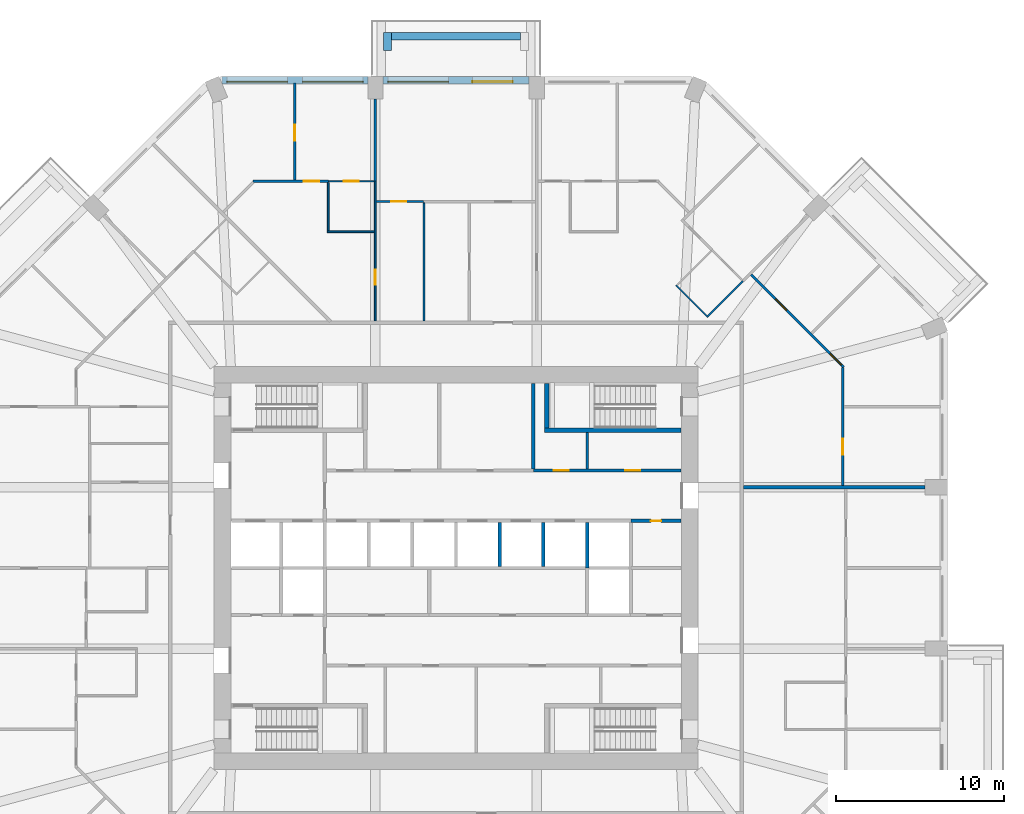
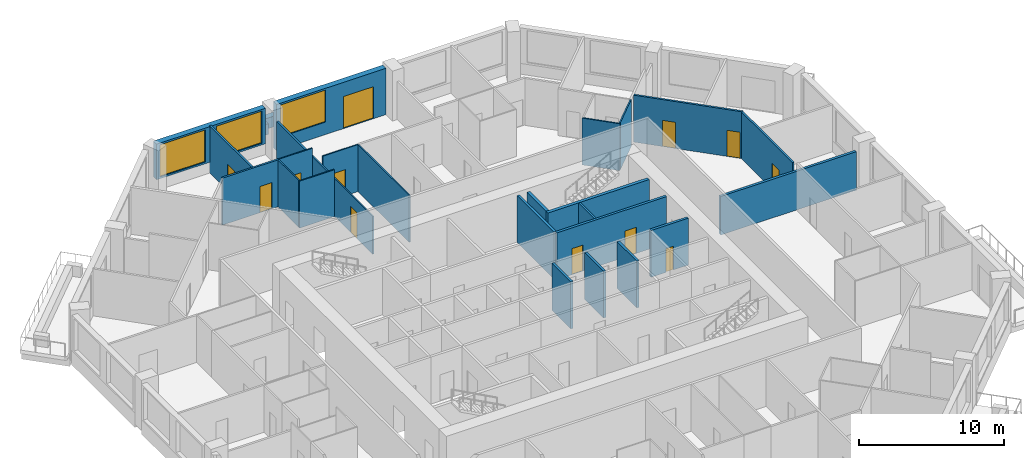
# One storey, part 9 of 13: 27 walls, 12 doors, 3 windows, 15 openings.
"""IFC4 building model written with IfcOpenShell, lengths in metres."""

from ifc_helpers import new_model, si_unit, direction, frame, frame_2d, origin, place, context, subcontext, project, spatial, rectangle, extrude, material, layer, layer_set, type_object, element, fill, save


model = new_model("IFC4")

# Units and contexts
model_context = context("Model", 3, precision=1e-05, world=origin(), true_north=direction((0.0, 1.0)))
body_context = subcontext(model_context, "Body", "Model", "MODEL_VIEW")
ifc_project = project(units=[si_unit("LENGTHUNIT", "METRE"), si_unit("AREAUNIT", "SQUARE_METRE"), si_unit("VOLUMEUNIT", "CUBIC_METRE"), si_unit("PLANEANGLEUNIT", "RADIAN"), si_unit("MASSUNIT", "GRAM", prefix="KILO")], contexts=[model_context])

# Site, building, storey
site_placement = place(None, origin())
site = spatial("IfcSite", under=ifc_project, at=site_placement, CompositionType="ELEMENT")
building_placement = place(site_placement, origin())
building = spatial("IfcBuilding", under=site, at=building_placement, Name="Msitu Wima Residences", CompositionType="ELEMENT")
storey_placement = place(building_placement, frame((0.0, 0.0, 84.300048828125)))
storey = spatial("IfcBuildingStorey", under=building, at=storey_placement, Name="L19", CompositionType="ELEMENT", Elevation=84.300048828125)

# Walls
ifc_material_1 = material(Name="Facing brick")
ifc_layer_1 = layer(ifc_material_1, 0.06494140625, Name="Facing brick")
ifc_material_2 = material(Name="Concrete C40/50", Category="concrete")
ifc_layer_2 = layer(ifc_material_2, 0.156005859375, Name="Concrete C40/50")
ifc_material_3 = material(Name="Waterproofing membrane")
ifc_layer_3 = layer(ifc_material_3, 0.00390625, Name="Waterproofing membrane")
ifc_material_4 = material(Name="Planting soil and planting")
ifc_layer_4 = layer(ifc_material_4, 0.22509765625, Name="Planting soil and planting")
ifc_layer_set_1 = layer_set([ifc_layer_1, ifc_layer_2, ifc_layer_3, ifc_layer_4], Name="Concrete C40/50")
wall_type_1 = type_object("IfcWallType", Name="Balcony planter PLANTER PL450", PredefinedType="USERDEFINED", material=ifc_layer_set_1)
wall_1_placement = place(storey_placement, frame((3.85009765625, 31.625, 0.0), z_axis=(0.0, 0.0, 1.0), x_axis=(-1.0, 0.0, 0.0)))
element("IfcWall", 1, at=wall_1_placement, inside=storey, type_object=wall_type_1, Name="Balcony planter N1 L19", ObjectType="PLANTER", PredefinedType="USERDEFINED", context=body_context, shape_type="SweptSolid", body=[
    extrude(rectangle(XDim=7.7001953125, YDim=0.449951171875, at=frame_2d((3.85009765625, 0.0))), origin(), (0.0, 0.0, 1.0), 0.89990234375),
])
wall_2_placement = place(storey_placement, frame((-4.074951171875, 30.800048828125, 0.0), z_axis=(0.0, 0.0, 1.0), x_axis=(0.0, 1.0, 0.0)))
element("IfcWall", 2, at=wall_2_placement, inside=storey, type_object=wall_type_1, Name="Balcony planter N1 L19", ObjectType="PLANTER", PredefinedType="USERDEFINED", context=body_context, shape_type="SweptSolid", body=[
    extrude(rectangle(XDim=1.050048828125, YDim=0.449951171875, at=frame_2d((0.52490234375, 0.0))), origin(), (0.0, 0.0, 1.0), 0.89990234375),
])

# Wall, openings, door, window
ifc_material_5 = material(Name="Brick (red buff mix)", Category="masonry")
ifc_layer_5 = layer(ifc_material_5, 0.449951171875)
ifc_layer_set_2 = layer_set([ifc_layer_5], Name="Brick (red buff mix)")
wall_type_2 = type_object("IfcWallType", Name="Brick infill wall BW450", PredefinedType="SOLIDWALL", material=ifc_layer_set_2)
wall_3_placement = place(storey_placement, frame((4.35009765625, 29.02490234375, 0.0), z_axis=(0.0, 0.0, 1.0), x_axis=(-1.0, 0.0, 0.0)))
wall_3 = element("IfcWall", 3, at=wall_3_placement, inside=storey, type_object=wall_type_2, Name="Brick infill wall L19 N1", PredefinedType="SOLIDWALL", context=body_context, shape_type="SweptSolid", body=[
    extrude(rectangle(XDim=8.7001953125, YDim=0.449951171875, at=frame_2d((4.35009765625, 0.0))), origin(), (0.0, 0.0, 1.0), 3.89990234375),
])
opening_1_placement = place(wall_3_placement, frame((0.97509765625, 0.0, 0.0)))
opening_1 = element("IfcOpeningElement", 4, at=opening_1_placement, cuts=wall_3, Name="Opening D18-20.002", PredefinedType="OPENING", context=body_context, shape_type="SweptSolid", body=[
    extrude(rectangle(XDim=2.39990234375, YDim=2.699951171875, at=frame_2d((1.199951171875, 1.35009765625))), frame((0.0, 0.23486328125, 0.0), z_axis=(0.0, -1.0, 0.0), x_axis=(1.0, 0.0, 0.0)), (0.0, 0.0, 1.0), 0.469970703125),
])
opening_2_placement = place(wall_3_placement, frame((4.800048828125, 0.0, 1.050048828125)))
opening_2 = element("IfcOpeningElement", 5, at=opening_2_placement, cuts=wall_3, Name="Opening W18-20.008", PredefinedType="OPENING", context=body_context, shape_type="SweptSolid", body=[
    extrude(rectangle(XDim=3.60009765625, YDim=2.699951171875, at=frame_2d((1.800048828125, 1.35009765625))), frame((0.0, 0.23486328125, 0.0), z_axis=(0.0, -1.0, 0.0), x_axis=(1.0, 0.0, 0.0)), (0.0, 0.0, 1.0), 0.469970703125),
])
ifc_material_6 = material(Name="Anodised aluminium, bronze finish, clear low-emissivity double glazing", Category="aluminium")
door_type_1 = type_object("IfcDoorType", Name="Balcony door D2400x2700", OperationType="SLIDING_TO_LEFT", PredefinedType="DOOR", material=ifc_material_6)
door_1_placement = place(opening_1_placement, origin())
door_1 = element("IfcDoor", 6, at=door_1_placement, inside=storey, type_object=door_type_1, Name="Balcony door L19 N1", OperationType="SINGLE_SWING_LEFT", OverallHeight=2.699951171875, OverallWidth=2.39990234375, PredefinedType="DOOR", context=body_context, shape_type="SweptSolid", body=[
    extrude(rectangle(XDim=2.39990234375, YDim=2.699951171875, at=frame_2d((1.199951171875, 1.35009765625))), frame((0.0, 0.1298828125, 0.0), z_axis=(0.0, -1.0, 0.0), x_axis=(1.0, 0.0, 0.0)), (0.0, 0.0, 1.0), 0.050048828125),
])
fill(opening_1, door_1)
window_type = type_object("IfcWindowType", Name="Window W3600x2700", PartitioningType="DOUBLE_PANEL_VERTICAL", PredefinedType="WINDOW", material=ifc_material_6)
window_1_placement = place(opening_2_placement, origin())
window_1 = element("IfcWindow", 7, at=window_1_placement, inside=storey, type_object=window_type, Name="Window L19 N1.2", OverallHeight=2.699951171875, OverallWidth=3.60009765625, PartitioningType="SINGLE_PANEL", PredefinedType="WINDOW", context=body_context, shape_type="SweptSolid", body=[
    extrude(rectangle(XDim=3.60009765625, YDim=2.699951171875, at=frame_2d((1.800048828125, 1.35009765625))), frame((0.0, 0.135009765625, 0.0), z_axis=(0.0, -1.0, 0.0), x_axis=(1.0, 0.0, 0.0)), (0.0, 0.0, 1.0), 0.06005859375),
])
fill(opening_2, window_1)

# Wall, openings, windows
wall_4_placement = place(storey_placement, frame((-5.25, 29.02490234375, 0.89990234375), z_axis=(0.0, 0.0, 1.0), x_axis=(-1.0, 0.0, 0.0)))
wall_4 = element("IfcWall", 8, at=wall_4_placement, inside=storey, type_object=wall_type_2, Name="Brick infill wall L19 N2", PredefinedType="SOLIDWALL", context=body_context, shape_type="SweptSolid", body=[
    extrude(rectangle(XDim=8.662841796875, YDim=0.449951171875, at=frame_2d((4.33154296875, 0.0))), origin(), (0.0, 0.0, 1.0), 3.0),
])
opening_3_placement = place(wall_4_placement, frame((0.281494140625, 0.0, 0.14990234375)))
opening_3 = element("IfcOpeningElement", 9, at=opening_3_placement, cuts=wall_4, Name="Opening W18-20.009", PredefinedType="OPENING", context=body_context, shape_type="SweptSolid", body=[
    extrude(rectangle(XDim=3.60009765625, YDim=2.699951171875, at=frame_2d((1.800048828125, 1.35009765625))), frame((0.0, 0.23486328125, 0.0), z_axis=(0.0, -1.0, 0.0), x_axis=(1.0, 0.0, 0.0)), (0.0, 0.0, 1.0), 0.469970703125),
])
opening_4_placement = place(wall_4_placement, frame((4.781494140625, 0.0, 0.14990234375)))
opening_4 = element("IfcOpeningElement", 10, at=opening_4_placement, cuts=wall_4, Name="Opening W18-20.010", PredefinedType="OPENING", context=body_context, shape_type="SweptSolid", body=[
    extrude(rectangle(XDim=3.60009765625, YDim=2.699951171875, at=frame_2d((1.800048828125, 1.35009765625))), frame((0.0, 0.23486328125, 0.0), z_axis=(0.0, -1.0, 0.0), x_axis=(1.0, 0.0, 0.0)), (0.0, 0.0, 1.0), 0.469970703125),
])
window_2_placement = place(opening_3_placement, origin())
window_2 = element("IfcWindow", 11, at=window_2_placement, inside=storey, type_object=window_type, Name="Window L19 N2.1", OverallHeight=2.699951171875, OverallWidth=3.60009765625, PartitioningType="SINGLE_PANEL", PredefinedType="WINDOW", context=body_context, shape_type="SweptSolid", body=[
    extrude(rectangle(XDim=3.60009765625, YDim=2.699951171875, at=frame_2d((1.800048828125, 1.35009765625))), frame((0.0, 0.135009765625, 0.0), z_axis=(0.0, -1.0, 0.0), x_axis=(1.0, 0.0, 0.0)), (0.0, 0.0, 1.0), 0.06005859375),
])
fill(opening_3, window_2)
window_3_placement = place(opening_4_placement, origin())
window_3 = element("IfcWindow", 12, at=window_3_placement, inside=storey, type_object=window_type, Name="Window L19 N2.2", OverallHeight=2.699951171875, OverallWidth=3.60009765625, PartitioningType="SINGLE_PANEL", PredefinedType="WINDOW", context=body_context, shape_type="SweptSolid", body=[
    extrude(rectangle(XDim=3.60009765625, YDim=2.699951171875, at=frame_2d((1.800048828125, 1.35009765625))), frame((0.0, 0.135009765625, 0.0), z_axis=(0.0, -1.0, 0.0), x_axis=(1.0, 0.0, 0.0)), (0.0, 0.0, 1.0), 0.06005859375),
])
fill(opening_4, window_3)

# Wall, openings, doors
ifc_material_7 = material(Name="Plaster")
ifc_layer_6 = layer(ifc_material_7, 0.011962890625, Name="Plaster")
ifc_material_8 = material(Name="Concrete blockwork", Category="masonry")
ifc_layer_7 = layer(ifc_material_8, 0.176025390625, Name="Concrete blockwork")
ifc_layer_8 = layer(ifc_material_7, 0.011962890625, Name="Plaster")
ifc_layer_set_3 = layer_set([ifc_layer_6, ifc_layer_7, ifc_layer_8], Name="Concrete blockwork")
wall_type_3 = type_object("IfcWallType", Name="Corridor wall FW200", PredefinedType="PARTITIONING", material=ifc_layer_set_3)
wall_5_placement = place(storey_placement, frame((4.6201171875, 5.800048828125, 0.0), z_axis=(0.0, 0.0, 1.0), x_axis=(1.0, 0.0, 0.0)))
wall_5 = element("IfcWall", 13, at=wall_5_placement, inside=storey, type_object=wall_type_3, Name="Corridor wall", PredefinedType="PARTITIONING", context=body_context, shape_type="SweptSolid", body=[
    extrude(rectangle(XDim=8.75, YDim=0.199951171875, at=frame_2d((4.375, 0.0))), origin(), (0.0, 0.0, 1.0), 3.949951171875),
])
opening_5_placement = place(wall_5_placement, frame((1.199951171875, 0.0, 0.0)))
opening_5 = element("IfcOpeningElement", 14, at=opening_5_placement, cuts=wall_5, Name="Opening D18-20.019", PredefinedType="OPENING", context=body_context, shape_type="SweptSolid", body=[
    extrude(rectangle(XDim=0.89990234375, YDim=2.199951171875, at=frame_2d((0.449951171875, 1.10009765625))), frame((0.0, 0.10986328125, 0.0), z_axis=(0.0, -1.0, 0.0), x_axis=(1.0, 0.0, 0.0)), (0.0, 0.0, 1.0), 0.219970703125),
])
opening_6_placement = place(wall_5_placement, frame((5.449951171875, 0.0, 0.0)))
opening_6 = element("IfcOpeningElement", 15, at=opening_6_placement, cuts=wall_5, Name="Opening D18-20.020", PredefinedType="OPENING", context=body_context, shape_type="SweptSolid", body=[
    extrude(rectangle(XDim=0.89990234375, YDim=2.199951171875, at=frame_2d((0.449951171875, 1.10009765625))), frame((0.0, 0.10986328125, 0.0), z_axis=(0.0, -1.0, 0.0), x_axis=(1.0, 0.0, 0.0)), (0.0, 0.0, 1.0), 0.219970703125),
])
ifc_material_9 = material(Name="Timber flush door", Category="wood")
door_type_2 = type_object("IfcDoorType", Name="Service door D05 900x2200", OperationType="SINGLE_SWING_LEFT", PredefinedType="DOOR", material=ifc_material_9)
door_2_placement = place(opening_5_placement, origin())
door_2 = element("IfcDoor", 16, at=door_2_placement, inside=storey, type_object=door_type_2, Name="Service door", OperationType="SINGLE_SWING_RIGHT", OverallHeight=2.199951171875, OverallWidth=0.89990234375, PredefinedType="DOOR", context=body_context, shape_type="SweptSolid", body=[
    extrude(rectangle(XDim=0.89990234375, YDim=2.199951171875, at=frame_2d((0.449951171875, 1.10009765625))), frame((0.0, 0.02490234375, 0.0), z_axis=(0.0, -1.0, 0.0), x_axis=(1.0, 0.0, 0.0)), (0.0, 0.0, 1.0), 0.050048828125),
])
fill(opening_5, door_2)
door_3_placement = place(opening_6_placement, origin())
door_3 = element("IfcDoor", 17, at=door_3_placement, inside=storey, type_object=door_type_2, Name="Service door", OperationType="SINGLE_SWING_LEFT", OverallHeight=2.199951171875, OverallWidth=0.89990234375, PredefinedType="DOOR", context=body_context, shape_type="SweptSolid", body=[
    extrude(rectangle(XDim=0.89990234375, YDim=2.199951171875, at=frame_2d((0.449951171875, 1.10009765625))), frame((0.0, 0.02490234375, 0.0), z_axis=(0.0, -1.0, 0.0), x_axis=(1.0, 0.0, 0.0)), (0.0, 0.0, 1.0), 0.050048828125),
])
fill(opening_6, door_3)

# Wall, opening, door
ifc_layer_9 = layer(ifc_material_7, 0.011962890625, Name="Plaster")
ifc_layer_10 = layer(ifc_material_8, 0.1259765625, Name="Concrete blockwork")
ifc_layer_11 = layer(ifc_material_7, 0.011962890625, Name="Plaster")
ifc_layer_set_4 = layer_set([ifc_layer_9, ifc_layer_10, ifc_layer_11], Name="Concrete blockwork")
wall_type_4 = type_object("IfcWallType", Name="Partition PW150", PredefinedType="PARTITIONING", material=ifc_layer_set_4)
wall_6_placement = place(storey_placement, frame((-12.072509765625, 23.0, 0.0), z_axis=(0.0, 0.0, 1.0), x_axis=(1.0, 0.0, 0.0)))
wall_6 = element("IfcWall", 18, at=wall_6_placement, inside=storey, type_object=wall_type_4, Name="Partition", PredefinedType="PARTITIONING", context=body_context, shape_type="SweptSolid", body=[
    extrude(rectangle(XDim=4.492431640625, YDim=0.14990234375, at=frame_2d((2.24609375, 0.0))), origin(), (0.0, 0.0, 1.0), 3.949951171875),
])
opening_7_placement = place(wall_6_placement, frame((3.0, 0.0, 0.0)))
opening_7 = element("IfcOpeningElement", 19, at=opening_7_placement, cuts=wall_6, Name="Opening D18-20.042", PredefinedType="OPENING", context=body_context, shape_type="SweptSolid", body=[
    extrude(rectangle(XDim=0.949951171875, YDim=2.199951171875, at=frame_2d((0.47509765625, 1.10009765625))), frame((0.0, 0.0849609375, 0.0), z_axis=(0.0, -1.0, 0.0), x_axis=(1.0, 0.0, 0.0)), (0.0, 0.0, 1.0), 0.169921875),
])
door_type_3 = type_object("IfcDoorType", Name="Room door D12 950x2200", OperationType="SINGLE_SWING_LEFT", PredefinedType="DOOR", material=ifc_material_9)
door_4_placement = place(opening_7_placement, origin())
door_4 = element("IfcDoor", 20, at=door_4_placement, inside=storey, type_object=door_type_3, Name="Room door", OperationType="SINGLE_SWING_LEFT", OverallHeight=2.199951171875, OverallWidth=0.949951171875, PredefinedType="DOOR", context=body_context, shape_type="SweptSolid", body=[
    extrude(rectangle(XDim=0.949951171875, YDim=2.199951171875, at=frame_2d((0.47509765625, 1.10009765625))), frame((0.0, 0.02490234375, 0.0), z_axis=(0.0, -1.0, 0.0), x_axis=(1.0, 0.0, 0.0)), (0.0, 0.0, 1.0), 0.050048828125),
])
fill(opening_7, door_4)

wall_7_placement = place(storey_placement, frame((-9.60009765625, 23.074951171875, 0.0), z_axis=(0.0, 0.0, 1.0), x_axis=(0.0, 1.0, 0.0)))
wall_7 = element("IfcWall", 21, at=wall_7_placement, inside=storey, type_object=wall_type_4, Name="Partition", PredefinedType="PARTITIONING", context=body_context, shape_type="SweptSolid", body=[
    extrude(rectangle(XDim=5.780029296875, YDim=0.14990234375, at=frame_2d((2.89013671875, 0.0))), origin(), (0.0, 0.0, 1.0), 3.949951171875),
])
opening_8_placement = place(wall_7_placement, frame((2.35009765625, 0.0, 0.0)))
opening_8 = element("IfcOpeningElement", 22, at=opening_8_placement, cuts=wall_7, Name="Opening D18-20.044", PredefinedType="OPENING", context=body_context, shape_type="SweptSolid", body=[
    extrude(rectangle(XDim=0.949951171875, YDim=2.199951171875, at=frame_2d((0.47509765625, 1.10009765625))), frame((0.0, 0.0849609375, 0.0), z_axis=(0.0, -1.0, 0.0), x_axis=(1.0, 0.0, 0.0)), (0.0, 0.0, 1.0), 0.169921875),
])
door_5_placement = place(opening_8_placement, origin())
door_5 = element("IfcDoor", 23, at=door_5_placement, inside=storey, type_object=door_type_3, Name="Room door", OperationType="SINGLE_SWING_LEFT", OverallHeight=2.199951171875, OverallWidth=0.949951171875, PredefinedType="DOOR", context=body_context, shape_type="SweptSolid", body=[
    extrude(rectangle(XDim=0.949951171875, YDim=2.199951171875, at=frame_2d((0.47509765625, 1.10009765625))), frame((0.0, 0.02490234375, 0.0), z_axis=(0.0, -1.0, 0.0), x_axis=(1.0, 0.0, 0.0)), (0.0, 0.0, 1.0), 0.050048828125),
])
fill(opening_8, door_5)

# Walls
wall_8_placement = place(storey_placement, frame((-4.800048828125, 23.02001953125, 0.0), z_axis=(0.0, 0.0, 1.0), x_axis=(0.0, 1.0, 0.0)))
element("IfcWall", 24, at=wall_8_placement, inside=storey, type_object=wall_type_4, Name="Partition", PredefinedType="PARTITIONING", context=body_context, shape_type="SweptSolid", body=[
    extrude(rectangle(XDim=4.8798828125, YDim=0.14990234375, at=frame_2d((2.43994140625, 0.0))), origin(), (0.0, 0.0, 1.0), 3.199951171875),
])
wall_9_placement = place(storey_placement, frame((7.800048828125, 5.89990234375, 0.0), z_axis=(0.0, 0.0, 1.0), x_axis=(0.0, 1.0, 0.0)))
element("IfcWall", 25, at=wall_9_placement, inside=storey, type_object=wall_type_4, Name="Partition", PredefinedType="PARTITIONING", context=body_context, shape_type="SweptSolid", body=[
    extrude(rectangle(XDim=2.175048828125, YDim=0.14990234375, at=frame_2d((1.08740234375, 0.0))), origin(), (0.0, 0.0, 1.0), 3.949951171875),
])

# Wall, openings, doors
wall_10_placement = place(storey_placement, frame((17.5517578125, 17.44580078125, 0.0), z_axis=(0.0, 0.0, 1.0), x_axis=(0.707106781187, -0.707106781187, 0.0)))
wall_10 = element("IfcWall", 26, at=wall_10_placement, inside=storey, type_object=wall_type_4, Name="Partition", PredefinedType="PARTITIONING", context=body_context, shape_type="SweptSolid", body=[
    extrude(rectangle(XDim=7.77978515625, YDim=0.14990234375, at=frame_2d((3.889892578125, 0.0))), origin(), (0.0, 0.0, 1.0), 3.949951171875),
])
opening_9_placement = place(wall_10_placement, frame((2.050048828125, 0.0, 0.0)))
opening_9 = element("IfcOpeningElement", 27, at=opening_9_placement, cuts=wall_10, Name="Opening D18-20.070", PredefinedType="OPENING", context=body_context, shape_type="SweptSolid", body=[
    extrude(rectangle(XDim=0.949951171875, YDim=2.199951171875, at=frame_2d((0.47509765625, 1.10009765625))), frame((0.0, 0.0849609375, 0.0), z_axis=(0.0, -1.0, 0.0), x_axis=(1.0, 0.0, 0.0)), (0.0, 0.0, 1.0), 0.169921875),
])
opening_10_placement = place(wall_10_placement, frame((6.64990234375, 0.0, 0.0)))
opening_10 = element("IfcOpeningElement", 28, at=opening_10_placement, cuts=wall_10, Name="Opening D18-20.038", PredefinedType="OPENING", context=body_context, shape_type="SweptSolid", body=[
    extrude(rectangle(XDim=0.949951171875, YDim=2.199951171875, at=frame_2d((0.47509765625, 1.10009765625))), frame((0.0, 0.0849609375, 0.0), z_axis=(0.0, -1.0, 0.0), x_axis=(1.0, 0.0, 0.0)), (0.0, 0.0, 1.0), 0.169921875),
])
door_6_placement = place(opening_9_placement, origin())
door_6 = element("IfcDoor", 29, at=door_6_placement, inside=storey, type_object=door_type_3, Name="Room door", OperationType="SINGLE_SWING_RIGHT", OverallHeight=2.199951171875, OverallWidth=0.949951171875, PredefinedType="DOOR", context=body_context, shape_type="SweptSolid", body=[
    extrude(rectangle(XDim=0.949951171875, YDim=2.199951171875, at=frame_2d((0.47509765625, 1.10009765625))), frame((0.0, 0.02490234375, 0.0), z_axis=(0.0, -1.0, 0.0), x_axis=(1.0, 0.0, 0.0)), (0.0, 0.0, 1.0), 0.050048828125),
])
fill(opening_9, door_6)
door_7_placement = place(opening_10_placement, origin())
door_7 = element("IfcDoor", 30, at=door_7_placement, inside=storey, type_object=door_type_3, Name="Room door", OperationType="SINGLE_SWING_LEFT", OverallHeight=2.199951171875, OverallWidth=0.949951171875, PredefinedType="DOOR", context=body_context, shape_type="SweptSolid", body=[
    extrude(rectangle(XDim=0.949951171875, YDim=2.199951171875, at=frame_2d((0.47509765625, 1.10009765625))), frame((0.0, 0.02490234375, 0.0), z_axis=(0.0, -1.0, 0.0), x_axis=(1.0, 0.0, 0.0)), (0.0, 0.0, 1.0), 0.050048828125),
])
fill(opening_10, door_7)

# Wall, opening, door
wall_11_placement = place(storey_placement, frame((23.0, 4.89990234375, 0.0), z_axis=(0.0, 0.0, 1.0), x_axis=(0.0, 1.0, 0.0)))
wall_11 = element("IfcWall", 31, at=wall_11_placement, inside=storey, type_object=wall_type_4, Name="Partition", PredefinedType="PARTITIONING", context=body_context, shape_type="SweptSolid", body=[
    extrude(rectangle(XDim=7.022705078125, YDim=0.14990234375, at=frame_2d((3.51123046875, 0.0))), origin(), (0.0, 0.0, 1.0), 3.949951171875),
])
opening_11_placement = place(wall_11_placement, frame((1.85009765625, 0.0, 0.0)))
opening_11 = element("IfcOpeningElement", 32, at=opening_11_placement, cuts=wall_11, Name="Opening D18-20.059", PredefinedType="OPENING", context=body_context, shape_type="SweptSolid", body=[
    extrude(rectangle(XDim=0.949951171875, YDim=2.199951171875, at=frame_2d((0.47509765625, 1.10009765625))), frame((0.0, 0.0849609375, 0.0), z_axis=(0.0, -1.0, 0.0), x_axis=(1.0, 0.0, 0.0)), (0.0, 0.0, 1.0), 0.169921875),
])
door_8_placement = place(opening_11_placement, origin())
door_8 = element("IfcDoor", 33, at=door_8_placement, inside=storey, type_object=door_type_3, Name="Room door", OperationType="SINGLE_SWING_LEFT", OverallHeight=2.199951171875, OverallWidth=0.949951171875, PredefinedType="DOOR", context=body_context, shape_type="SweptSolid", body=[
    extrude(rectangle(XDim=0.949951171875, YDim=2.199951171875, at=frame_2d((0.47509765625, 1.10009765625))), frame((0.0, 0.02490234375, 0.0), z_axis=(0.0, -1.0, 0.0), x_axis=(1.0, 0.0, 0.0)), (0.0, 0.0, 1.0), 0.050048828125),
])
fill(opening_11, door_8)

# Walls
ifc_layer_12 = layer(ifc_material_7, 0.011962890625, Name="Plaster")
ifc_material_10 = material(Name="Dense concrete blockwork", Category="masonry")
ifc_layer_13 = layer(ifc_material_10, 0.176025390625, Name="Dense concrete blockwork")
ifc_layer_14 = layer(ifc_material_7, 0.011962890625, Name="Plaster")
ifc_layer_set_5 = layer_set([ifc_layer_12, ifc_layer_13, ifc_layer_14], Name="Dense concrete blockwork")
wall_type_5 = type_object("IfcWallType", Name="Party wall PW200", PredefinedType="PARTITIONING", material=ifc_layer_set_5)
wall_12_placement = place(storey_placement, frame((17.10009765625, 4.800048828125, 0.0), z_axis=(0.0, 0.0, 1.0), x_axis=(1.0, 0.0, 0.0)))
element("IfcWall", 34, at=wall_12_placement, inside=storey, type_object=wall_type_5, Name="Party wall", PredefinedType="PARTITIONING", context=body_context, shape_type="SweptSolid", body=[
    extrude(rectangle(XDim=10.7998046875, YDim=0.199951171875, at=frame_2d((5.39990234375, 0.0))), origin(), (0.0, 0.0, 1.0), 3.25),
])
ifc_layer_15 = layer(ifc_material_7, 0.011962890625, Name="Plaster")
ifc_material_11 = material(Name="Reinforced concrete blockwork", Category="masonry")
ifc_layer_16 = layer(ifc_material_11, 0.176025390625, Name="Reinforced concrete blockwork")
ifc_layer_17 = layer(ifc_material_7, 0.011962890625, Name="Plaster")
ifc_layer_set_6 = layer_set([ifc_layer_15, ifc_layer_16, ifc_layer_17], Name="Reinforced concrete blockwork")
wall_type_6 = type_object("IfcWallType", Name="Plant and riser wall PL200", PredefinedType="PARTITIONING", material=ifc_layer_set_6)
wall_13_placement = place(storey_placement, frame((4.60009765625, 5.89990234375, 0.0), z_axis=(0.0, 0.0, 1.0), x_axis=(0.0, 1.0, 0.0)))
element("IfcWall", 35, at=wall_13_placement, inside=storey, type_object=wall_type_6, Name="Plant and riser wall", PredefinedType="PARTITIONING", context=body_context, shape_type="SweptSolid", body=[
    extrude(rectangle(XDim=5.070068359375, YDim=0.199951171875, at=frame_2d((2.53515625, 0.0))), origin(), (0.0, 0.0, 1.0), 3.949951171875),
])

# Wall, opening, door
wall_14_placement = place(storey_placement, frame((10.39990234375, 2.800048828125, 0.0), z_axis=(0.0, 0.0, 1.0), x_axis=(1.0, 0.0, 0.0)))
wall_14 = element("IfcWall", 36, at=wall_14_placement, inside=storey, type_object=wall_type_6, Name="Plant and riser wall", PredefinedType="PARTITIONING", context=body_context, shape_type="SweptSolid", body=[
    extrude(rectangle(XDim=2.97021484375, YDim=0.199951171875, at=frame_2d((1.485107421875, 0.0))), origin(), (0.0, 0.0, 1.0), 3.949951171875),
])
opening_12_placement = place(wall_14_placement, frame((1.199951171875, 0.0, 0.0)))
opening_12 = element("IfcOpeningElement", 37, at=opening_12_placement, cuts=wall_14, Name="Opening D18-20.027", PredefinedType="OPENING", context=body_context, shape_type="SweptSolid", body=[
    extrude(rectangle(XDim=0.60009765625, YDim=2.0, at=frame_2d((0.300048828125, 1.0))), frame((0.0, 0.10986328125, 0.0), z_axis=(0.0, -1.0, 0.0), x_axis=(1.0, 0.0, 0.0)), (0.0, 0.0, 1.0), 0.219970703125),
])
ifc_material_12 = material(Name="Steel access door, fire resisting", Category="steel")
door_type_4 = type_object("IfcDoorType", Name="Riser access door D08 600x2000", OperationType="SINGLE_SWING_LEFT", PredefinedType="DOOR", material=ifc_material_12)
door_9_placement = place(opening_12_placement, origin())
door_9 = element("IfcDoor", 38, at=door_9_placement, inside=storey, type_object=door_type_4, Name="Riser access door", OperationType="SINGLE_SWING_RIGHT", OverallHeight=2.0, OverallWidth=0.60009765625, PredefinedType="DOOR", context=body_context, shape_type="SweptSolid", body=[
    extrude(rectangle(XDim=0.60009765625, YDim=2.0, at=frame_2d((0.300048828125, 1.0))), frame((0.0, 0.02490234375, 0.0), z_axis=(0.0, -1.0, 0.0), x_axis=(1.0, 0.0, 0.0)), (0.0, 0.0, 1.0), 0.050048828125),
])
fill(opening_12, door_9)

# Walls
ifc_material_13 = material(Name="Fire-rated board")
ifc_layer_18 = layer(ifc_material_13, 0.02490234375, Name="Fire-rated board")
ifc_material_14 = material(Name="Light-gauge stud framing with mineral wool")
ifc_layer_19 = layer(ifc_material_14, 0.14990234375, Name="Light-gauge stud framing with mineral wool")
ifc_layer_20 = layer(ifc_material_13, 0.02490234375, Name="Fire-rated board")
ifc_layer_set_7 = layer_set([ifc_layer_18, ifc_layer_19, ifc_layer_20], Name="Light-gauge stud framing with mineral wool")
wall_type_7 = type_object("IfcWallType", Name="Shaft wall SH200", PredefinedType="PARTITIONING", material=ifc_layer_set_7)
for number, where, z_axis, x_axis, name in (
    (39, (2.60009765625, 0.10009765625, 0.0), (0.0, 0.0, 1.0), (0.0, 1.0, 0.0), "Shaft wall"),
    (40, (5.199951171875, 0.10009765625, 0.0), (0.0, 0.0, 1.0), (0.0, 1.0, 0.0), "Shaft wall"),
):
    element("IfcWall", number, at=place(storey_placement, frame(where, z_axis=z_axis, x_axis=x_axis)), inside=storey, type_object=wall_type_7, Name=name, PredefinedType="PARTITIONING", context=body_context, shape_type="SweptSolid", body=[
        extrude(rectangle(XDim=2.599853515625, YDim=0.199951171875, at=frame_2d((1.2998046875, 0.0))), origin(), (0.0, 0.0, 1.0), 3.949951171875),
    ])
wall_15_placement = place(storey_placement, frame((7.800048828125, 0.0, 0.0), z_axis=(0.0, 0.0, 1.0), x_axis=(0.0, 1.0, 0.0)))
element("IfcWall", 41, at=wall_15_placement, inside=storey, type_object=wall_type_7, Name="Shaft wall", PredefinedType="PARTITIONING", context=body_context, shape_type="SweptSolid", body=[
    extrude(rectangle(XDim=2.699951171875, YDim=0.199951171875, at=frame_2d((1.35009765625, 0.0))), origin(), (0.0, 0.0, 1.0), 3.949951171875),
])
ifc_material_15 = material(Name="Concrete C50/60", Category="concrete")
ifc_layer_21 = layer(ifc_material_15, 0.25)
ifc_layer_set_8 = layer_set([ifc_layer_21], Name="Concrete C50/60")
wall_type_8 = type_object("IfcWallType", Name="Stair enclosure wall SW250", PredefinedType="SHEAR", material=ifc_layer_set_8)
wall_16_placement = place(storey_placement, frame((5.39990234375, 8.324951171875, 0.0), z_axis=(0.0, 0.0, 1.0), x_axis=(0.0, 1.0, 0.0)))
element("IfcWall", 42, at=wall_16_placement, inside=storey, type_object=wall_type_8, Name="Stair enclosure wall", PredefinedType="SHEAR", context=body_context, shape_type="SweptSolid", body=[
    extrude(rectangle(XDim=2.64501953125, YDim=0.25, at=frame_2d((1.322509765625, 0.0))), origin(), (0.0, 0.0, 1.0), 3.949951171875),
])
wall_17_placement = place(storey_placement, frame((5.27490234375, 8.199951171875, 0.0), z_axis=(0.0, 0.0, 1.0), x_axis=(1.0, 0.0, 0.0)))
element("IfcWall", 43, at=wall_17_placement, inside=storey, type_object=wall_type_8, Name="Stair enclosure wall", PredefinedType="SHEAR", context=body_context, shape_type="SweptSolid", body=[
    extrude(rectangle(XDim=8.09521484375, YDim=0.25, at=frame_2d((4.047607421875, 0.0))), origin(), (0.0, 0.0, 1.0), 3.949951171875),
])

# Wall, opening, door
ifc_material_16 = material(Name="Ceramic tiles")
ifc_layer_22 = layer(ifc_material_16, 0.008056640625, Name="Ceramic tiles")
ifc_material_17 = material(Name="Moisture-resistant board")
ifc_layer_23 = layer(ifc_material_17, 0.012451171875, Name="Moisture-resistant board")
ifc_layer_24 = layer(ifc_material_14, 0.06689453125, Name="Light-gauge stud framing with mineral wool")
ifc_layer_25 = layer(ifc_material_17, 0.012451171875, Name="Moisture-resistant board")
ifc_layer_set_9 = layer_set([ifc_layer_22, ifc_layer_23, ifc_layer_24, ifc_layer_25], Name="Light-gauge stud framing with mineral wool")
wall_type_9 = type_object("IfcWallType", Name="Wet wall PW100", PredefinedType="PARTITIONING", material=ifc_layer_set_9)
wall_18_placement = place(storey_placement, frame((-7.580078125, 23.0, 0.0), z_axis=(0.0, 0.0, 1.0), x_axis=(1.0, 0.0, 0.0)))
wall_18 = element("IfcWall", 44, at=wall_18_placement, inside=storey, type_object=wall_type_9, Name="Wet wall", PredefinedType="PARTITIONING", context=body_context, shape_type="SweptSolid", body=[
    extrude(rectangle(XDim=2.705078125, YDim=0.10009765625, at=frame_2d((1.3525390625, 0.0))), origin(), (0.0, 0.0, 1.0), 3.949951171875),
])
opening_13_placement = place(wall_18_placement, frame((0.89990234375, 0.0, 0.0)))
opening_13 = element("IfcOpeningElement", 45, at=opening_13_placement, cuts=wall_18, Name="Opening D18-20.043", PredefinedType="OPENING", context=body_context, shape_type="SweptSolid", body=[
    extrude(rectangle(XDim=0.89990234375, YDim=2.199951171875, at=frame_2d((0.449951171875, 1.10009765625))), frame((0.0, 0.06005859375, 0.0), z_axis=(0.0, -1.0, 0.0), x_axis=(1.0, 0.0, 0.0)), (0.0, 0.0, 1.0), 0.1201171875),
])
ifc_material_18 = material(Name="Timber flush door, moisture resistant", Category="wood")
door_type_5 = type_object("IfcDoorType", Name="Bathroom door D03 900x2200", OperationType="SINGLE_SWING_LEFT", PredefinedType="DOOR", material=ifc_material_18)
door_10_placement = place(opening_13_placement, origin())
door_10 = element("IfcDoor", 46, at=door_10_placement, inside=storey, type_object=door_type_5, Name="Bathroom door", OperationType="SINGLE_SWING_RIGHT", OverallHeight=2.199951171875, OverallWidth=0.89990234375, PredefinedType="DOOR", context=body_context, shape_type="SweptSolid", body=[
    extrude(rectangle(XDim=0.89990234375, YDim=2.199951171875, at=frame_2d((0.449951171875, 1.10009765625))), frame((0.0, 0.02490234375, 0.0), z_axis=(0.0, -1.0, 0.0), x_axis=(1.0, 0.0, 0.0)), (0.0, 0.0, 1.0), 0.050048828125),
])
fill(opening_13, door_10)

# Walls
wall_19_placement = place(storey_placement, frame((-7.60009765625, 20.050048828125, 0.0), z_axis=(0.0, 0.0, 1.0), x_axis=(0.0, 1.0, 0.0)))
element("IfcWall", 47, at=wall_19_placement, inside=storey, type_object=wall_type_9, Name="Wet wall", PredefinedType="PARTITIONING", context=body_context, shape_type="SweptSolid", body=[
    extrude(rectangle(XDim=2.875, YDim=0.10009765625, at=frame_2d((1.4375, 0.0))), origin(), (0.0, 0.0, 1.0), 3.949951171875),
])
wall_20_placement = place(storey_placement, frame((-7.64990234375, 20.0, 0.0), z_axis=(0.0, 0.0, 1.0), x_axis=(1.0, 0.0, 0.0)))
element("IfcWall", 48, at=wall_20_placement, inside=storey, type_object=wall_type_9, Name="Wet wall", PredefinedType="PARTITIONING", context=body_context, shape_type="SweptSolid", body=[
    extrude(rectangle(XDim=2.7998046875, YDim=0.10009765625, at=frame_2d((1.39990234375, 0.0))), origin(), (0.0, 0.0, 1.0), 3.949951171875),
])

# Wall, opening, door
wall_21_placement = place(storey_placement, frame((-4.800048828125, 14.699951171875, 0.0), z_axis=(0.0, 0.0, 1.0), x_axis=(0.0, 1.0, 0.0)))
wall_21 = element("IfcWall", 49, at=wall_21_placement, inside=storey, type_object=wall_type_9, Name="Wet wall", PredefinedType="PARTITIONING", context=body_context, shape_type="SweptSolid", body=[
    extrude(rectangle(XDim=8.320068359375, YDim=0.10009765625, at=frame_2d((4.16015625, 0.0))), origin(), (0.0, 0.0, 1.0), 3.199951171875),
])
opening_14_placement = place(wall_21_placement, frame((2.14990234375, 0.0, 0.0)))
opening_14 = element("IfcOpeningElement", 50, at=opening_14_placement, cuts=wall_21, Name="Opening D18-20.041", PredefinedType="OPENING", context=body_context, shape_type="SweptSolid", body=[
    extrude(rectangle(XDim=0.89990234375, YDim=2.199951171875, at=frame_2d((0.449951171875, 1.10009765625))), frame((0.0, 0.06005859375, 0.0), z_axis=(0.0, -1.0, 0.0), x_axis=(1.0, 0.0, 0.0)), (0.0, 0.0, 1.0), 0.1201171875),
])
door_11_placement = place(opening_14_placement, origin())
door_11 = element("IfcDoor", 51, at=door_11_placement, inside=storey, type_object=door_type_5, Name="Bathroom door", OperationType="SINGLE_SWING_RIGHT", OverallHeight=2.199951171875, OverallWidth=0.89990234375, PredefinedType="DOOR", context=body_context, shape_type="SweptSolid", body=[
    extrude(rectangle(XDim=0.89990234375, YDim=2.199951171875, at=frame_2d((0.449951171875, 1.10009765625))), frame((0.0, 0.02490234375, 0.0), z_axis=(0.0, -1.0, 0.0), x_axis=(1.0, 0.0, 0.0)), (0.0, 0.0, 1.0), 0.050048828125),
])
fill(opening_14, door_11)

wall_22_placement = place(storey_placement, frame((-4.75, 21.800048828125, 0.0), z_axis=(0.0, 0.0, 1.0), x_axis=(1.0, 0.0, 0.0)))
wall_22 = element("IfcWall", 52, at=wall_22_placement, inside=storey, type_object=wall_type_9, Name="Wet wall", PredefinedType="PARTITIONING", context=body_context, shape_type="SweptSolid", body=[
    extrude(rectangle(XDim=2.830078125, YDim=0.10009765625, at=frame_2d((1.4150390625, 0.0))), origin(), (0.0, 0.0, 1.0), 3.949951171875),
])
opening_15_placement = place(wall_22_placement, frame((0.89990234375, 0.0, 0.0)))
opening_15 = element("IfcOpeningElement", 53, at=opening_15_placement, cuts=wall_22, Name="Opening D18-20.040", PredefinedType="OPENING", context=body_context, shape_type="SweptSolid", body=[
    extrude(rectangle(XDim=0.89990234375, YDim=2.199951171875, at=frame_2d((0.449951171875, 1.10009765625))), frame((0.0, 0.06005859375, 0.0), z_axis=(0.0, -1.0, 0.0), x_axis=(1.0, 0.0, 0.0)), (0.0, 0.0, 1.0), 0.1201171875),
])
door_12_placement = place(opening_15_placement, origin())
door_12 = element("IfcDoor", 54, at=door_12_placement, inside=storey, type_object=door_type_5, Name="Bathroom door", OperationType="SINGLE_SWING_RIGHT", OverallHeight=2.199951171875, OverallWidth=0.89990234375, PredefinedType="DOOR", context=body_context, shape_type="SweptSolid", body=[
    extrude(rectangle(XDim=0.89990234375, YDim=2.199951171875, at=frame_2d((0.449951171875, 1.10009765625))), frame((0.0, 0.02490234375, 0.0), z_axis=(0.0, -1.0, 0.0), x_axis=(1.0, 0.0, 0.0)), (0.0, 0.0, 1.0), 0.050048828125),
])
fill(opening_15, door_12)

# Walls
wall_23_placement = place(storey_placement, frame((-1.89990234375, 14.699951171875, 0.0), z_axis=(0.0, 0.0, 1.0), x_axis=(0.0, 1.0, 0.0)))
element("IfcWall", 55, at=wall_23_placement, inside=storey, type_object=wall_type_9, Name="Wet wall", PredefinedType="PARTITIONING", context=body_context, shape_type="SweptSolid", body=[
    extrude(rectangle(XDim=7.025146484375, YDim=0.10009765625, at=frame_2d((3.5126953125, 0.0))), origin(), (0.0, 0.0, 1.0), 3.949951171875),
])
wall_24_placement = place(storey_placement, frame((13.079345703125, 16.8271484375, 0.0), z_axis=(0.0, 0.0, 1.0), x_axis=(0.707061571201, -0.707151988282, 0.0)))
element("IfcWall", 56, at=wall_24_placement, inside=storey, type_object=wall_type_9, Name="Wet wall", PredefinedType="PARTITIONING", context=body_context, shape_type="SweptSolid", body=[
    extrude(rectangle(XDim=2.7001953125, YDim=0.10009765625, at=frame_2d((1.35009765625, 0.0))), origin(), (0.0, 0.0, 1.0), 3.949951171875),
])
wall_25_placement = place(storey_placement, frame((14.988525390625, 14.988525390625, 0.0), z_axis=(0.0, 0.0, 1.0), x_axis=(0.707106781187, 0.707106781187, 0.0)))
element("IfcWall", 57, at=wall_25_placement, inside=storey, type_object=wall_type_9, Name="Wet wall", PredefinedType="PARTITIONING", context=body_context, shape_type="SweptSolid", body=[
    extrude(rectangle(XDim=2.929931640625, YDim=0.10009765625, at=frame_2d((1.46484375, 0.0))), origin(), (0.0, 0.0, 1.0), 3.949951171875),
])

save(model, "model.ifc")
